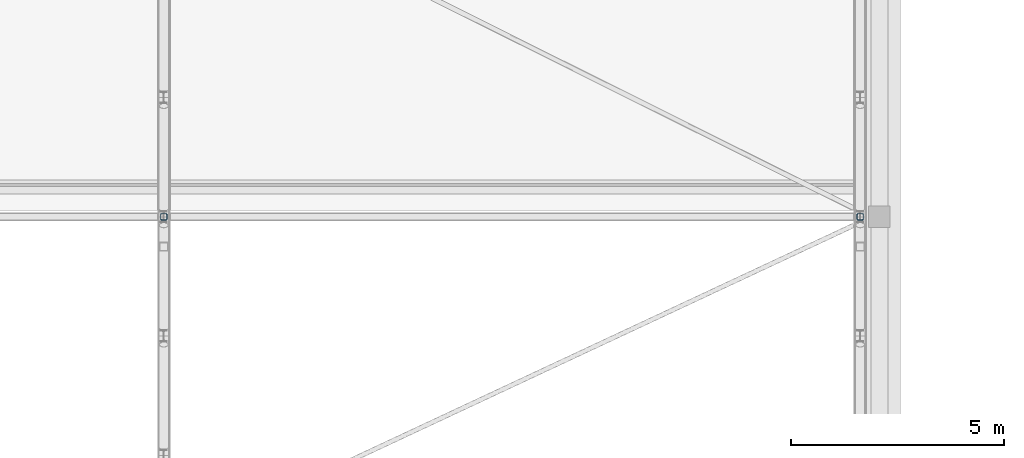
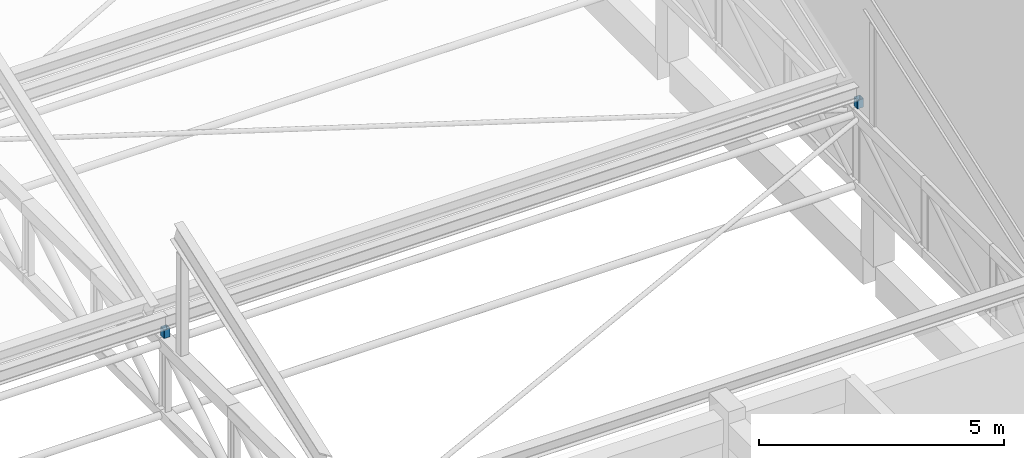
# One storey, part 59 of 101: 2 members.
"""IFC4 building model written with IfcOpenShell, lengths in metres."""

from ifc_helpers import new_model, si_unit, direction, frame, origin, origin_2d, place, context, subcontext, project, spatial, hollow_rectangle, extrude, material, material_profile, profile_set, type_object, element, save


model = new_model("IFC4")

# Units and contexts
model_context = context("Model", 3, precision=1e-05, world=origin(), true_north=direction((0.0, 1.0)))
body_context = subcontext(model_context, "Body", "Model", "MODEL_VIEW")
ifc_project = project(units=[si_unit("LENGTHUNIT", "METRE"), si_unit("AREAUNIT", "SQUARE_METRE"), si_unit("VOLUMEUNIT", "CUBIC_METRE"), si_unit("PLANEANGLEUNIT", "RADIAN"), si_unit("MASSUNIT", "GRAM", prefix="KILO")], contexts=[model_context])

# Site, building, storey
site_placement = place(None, origin())
site = spatial("IfcSite", under=ifc_project, at=site_placement, CompositionType="ELEMENT")
building_placement = place(site_placement, origin())
building = spatial("IfcBuilding", under=site, at=building_placement, Name="Fescue Hill Polytechnic", CompositionType="ELEMENT")
storey_placement = place(building_placement, frame((0.0, 0.0, 9.0)))
storey = spatial("IfcBuildingStorey", under=building, at=storey_placement, Name="L02", CompositionType="ELEMENT", Elevation=9.0)

# Members
ifc_material = material(Name="Steel 350W (350 MPa)", Category="steel")
ifc_material_profile = material_profile(ifc_material, hollow_rectangle(XDim=0.15234375, YDim=0.15234375, WallThickness=0.009521484375, InnerFilletRadius=0.009521484375, OuterFilletRadius=0.01904296875, at=origin_2d()), Name="Valley bearing post HSS 152x152x9.5")
ifc_profile_set = profile_set([ifc_material_profile], Name="Steel 350W (350 MPa)")
member_type = type_object("IfcMemberType", Name="Valley bearing post HSS 152x152x9.5", PredefinedType="POST", material=ifc_profile_set)
for number, where, z_axis, x_axis, name in (
    (1, (100.800048828125, 25.199951171875, 3.93603515625), (0.0, 0.0, 1.0), (1.0, 0.0, 0.0), "Valley 2 bearing post on TR7"),
    (2, (117.14990234375, 25.199951171875, 3.93603515625), (0.0, 0.0, 1.0), (1.0, 0.0, 0.0), "Valley 2 bearing post on TR8"),
):
    element("IfcMember", number, at=place(storey_placement, frame(where, z_axis=z_axis, x_axis=x_axis)), inside=storey, type_object=member_type, Name=name, PredefinedType="POST", context=body_context, shape_type="SweptSolid", body=[
        extrude(hollow_rectangle(XDim=0.15234375, YDim=0.15234375, WallThickness=0.009521484375, InnerFilletRadius=0.009521484375, OuterFilletRadius=0.01904296875, at=origin_2d()), origin(), (0.0, 0.0, 1.0), 0.2138671875),
    ])

save(model, "model.ifc")
